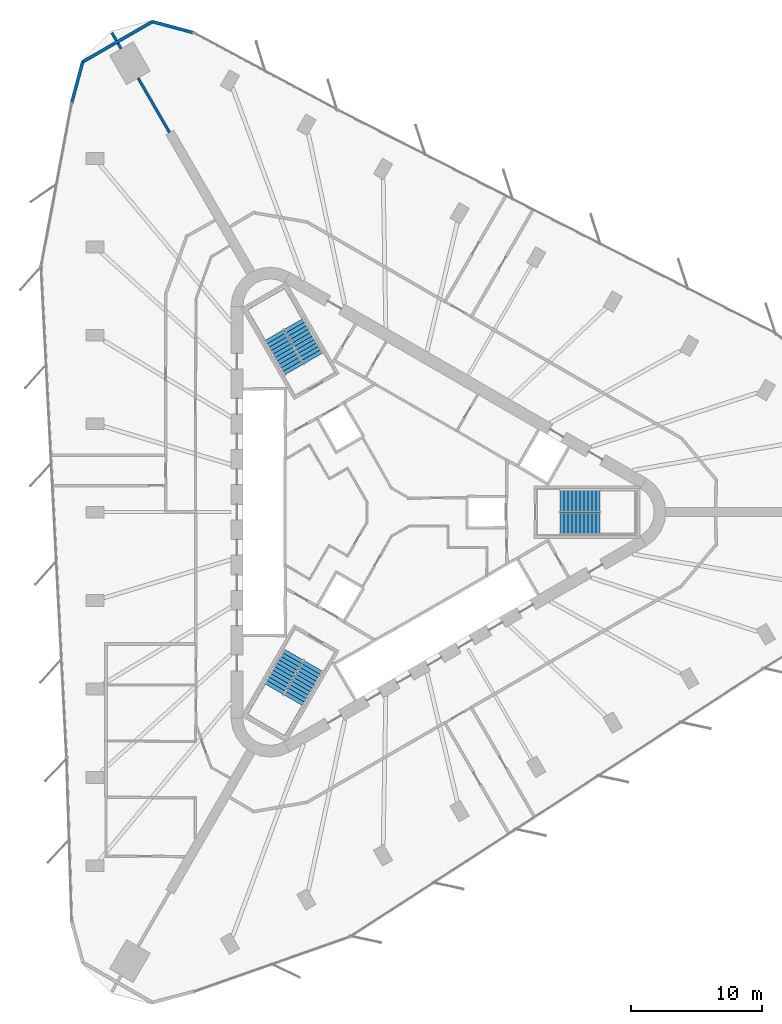
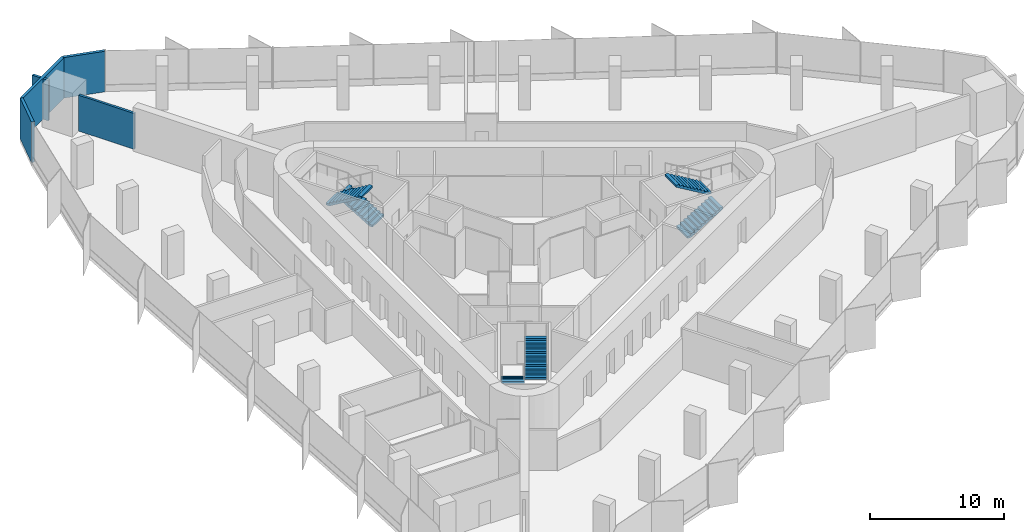
# One storey, part 12 of 13: 6 stair flights, 6 walls, 3 elements without a shape of their own.
"""IFC4 building model written with IfcOpenShell, lengths in metres."""

from ifc_helpers import new_model, si_unit, direction, frame, frame_2d, origin, place, context, subcontext, project, spatial, polyline, rectangle, outline, extrude, material, layer, layer_set, type_object, element, aggregate, save


model = new_model("IFC4")

# Units and contexts
model_context = context("Model", 3, precision=1e-05, world=origin(), true_north=direction((0.0, 1.0)))
body_context = subcontext(model_context, "Body", "Model", "MODEL_VIEW")
ifc_project = project(units=[si_unit("LENGTHUNIT", "METRE"), si_unit("AREAUNIT", "SQUARE_METRE"), si_unit("VOLUMEUNIT", "CUBIC_METRE"), si_unit("PLANEANGLEUNIT", "RADIAN"), si_unit("MASSUNIT", "GRAM", prefix="KILO")], contexts=[model_context])

# Site, building, storey
site_placement = place(None, origin())
site = spatial("IfcSite", under=ifc_project, at=site_placement, CompositionType="ELEMENT")
building_placement = place(site_placement, origin())
building = spatial("IfcBuilding", under=site, at=building_placement, Name="Tanit Gate Tower", CompositionType="ELEMENT")
storey_placement = place(building_placement, frame((0.0, 0.0, 177.199951171875)))
storey = spatial("IfcBuildingStorey", under=building, at=storey_placement, Name="L38", CompositionType="ELEMENT", Elevation=177.199951171875)

# Walls
ifc_material_1 = material(Name="Concrete C30/37 with bronze anodised aluminium cladding", Category="concrete")
ifc_layer_1 = layer(ifc_material_1, 0.239990234375)
ifc_layer_set_1 = layer_set([ifc_layer_1], Name="Facade wall bronze clad 240")
wall_type_1 = type_object("IfcWallType", Name="Facade wall bronze clad 240", PredefinedType="SOLIDWALL", material=ifc_layer_set_1)
wall_1_placement = place(storey_placement, frame((-15.01953125, 36.7353515625, 0.0), z_axis=(0.0, 0.0, 1.0), x_axis=(-0.965921607741, 0.258834788424, 0.0)))
element("IfcWall", 1, at=wall_1_placement, inside=storey, type_object=wall_type_1, Name="Bronze-clad facade wall L38 NW.arc1", PredefinedType="SOLIDWALL", context=body_context, shape_type="SweptSolid", body=[
    extrude(rectangle(XDim=3.214599609375, YDim=0.239990234375, at=frame_2d((1.607421875, 0.0))), origin(), (0.0, 0.0, 1.0), 3.699951171875),
])
wall_2_placement = place(storey_placement, frame((-18.12451171875, 37.5673828125, 0.0), z_axis=(0.0, 0.0, 1.0), x_axis=(-0.866030202489, -0.499991688307, 0.0)))
element("IfcWall", 2, at=wall_2_placement, inside=storey, type_object=wall_type_1, Name="Bronze-clad facade wall L38 NW.arc2", PredefinedType="SOLIDWALL", context=body_context, shape_type="SweptSolid", body=[
    extrude(rectangle(XDim=6.1748046875, YDim=0.239990234375, at=frame_2d((3.08740234375, 0.0))), origin(), (0.0, 0.0, 1.0), 3.699951171875),
])
wall_3_placement = place(storey_placement, frame((-23.47216796875, 34.47998046875, 0.0), z_axis=(0.0, 0.0, 1.0), x_axis=(-0.258770153522, -0.965938925423, 0.0)))
element("IfcWall", 3, at=wall_3_placement, inside=storey, type_object=wall_type_1, Name="Bronze-clad facade wall L38 NW.arc3", PredefinedType="SOLIDWALL", context=body_context, shape_type="SweptSolid", body=[
    extrude(rectangle(XDim=3.223876953125, YDim=0.239990234375, at=frame_2d((1.61181640625, 0.0))), origin(), (0.0, 0.0, 1.0), 3.699951171875),
])
ifc_material_2 = material(Name="Fire-rated gypsum board partition")
ifc_layer_2 = layer(ifc_material_2, 0.199951171875)
ifc_layer_set_2 = layer_set([ifc_layer_2], Name="INT-WALL-COMPARTMENT")
wall_type_2 = type_object("IfcWallType", Name="INT-WALL-COMPARTMENT", PredefinedType="PARTITIONING", material=ifc_layer_set_2)
wall_4_placement = place(storey_placement, frame((-16.8173828125, 29.068359375, 0.0), z_axis=(0.0, 0.0, 1.0), x_axis=(-0.499988695522, 0.866031930329, 0.0)))
element("IfcWall", 4, at=wall_4_placement, inside=storey, type_object=wall_type_2, Name="Wall Compartment W122", PredefinedType="PARTITIONING", context=body_context, shape_type="SweptSolid", body=[
    extrude(rectangle(XDim=4.8154296875, YDim=0.199951171875, at=frame_2d((2.40771484375, 0.0))), origin(), (0.0, 0.0, 1.0), 3.27001953125),
])
wall_5_placement = place(storey_placement, frame((-20.52490234375, 35.490234375, 0.0), z_axis=(0.0, 0.0, 1.0), x_axis=(-0.499869636591, 0.866100656052, 0.0)))
element("IfcWall", 5, at=wall_5_placement, inside=storey, type_object=wall_type_2, Name="Wall Compartment W121", PredefinedType="PARTITIONING", context=body_context, shape_type="SweptSolid", body=[
    extrude(rectangle(XDim=0.478759765625, YDim=0.199951171875, at=frame_2d((0.2392578125, 0.0))), origin(), (0.0, 0.0, 1.0), 3.699951171875),
])
wall_6_placement = place(storey_placement, frame((-20.88427734375, 36.112548828125, 0.0), z_axis=(0.0, 0.0, 1.0), x_axis=(-0.49989369433, 0.866086770693, 0.0)))
element("IfcWall", 6, at=wall_6_placement, inside=storey, type_object=wall_type_2, Name="Wall Compartment W121x1", PredefinedType="PARTITIONING", context=body_context, shape_type="SweptSolid", body=[
    extrude(rectangle(XDim=0.699462890625, YDim=0.199951171875, at=frame_2d((0.349609375, 0.0))), origin(), (0.0, 0.0, 1.0), 3.699951171875),
])

# Stair, stair flights
ifc_material_3 = material(Name="Concrete C40/50", Category="concrete")
stair_type = type_object("IfcStairType", Name="INT-STAIR-EXIT", PredefinedType="HALF_TURN_STAIR", material=ifc_material_3)
stair_1_placement = place(storey_placement, origin())
stair_1 = element("IfcStair", 7, at=stair_1_placement, inside=storey, type_object=stair_type, Name="L38 STAIR S1", PredefinedType="HALF_TURN_STAIR")
ifc_material_4 = material(Name="Concrete C40/50", Category="concrete")
stair_flight_type = type_object("IfcStairFlightType", Name="INT-STAIR-FLIGHT", PredefinedType="STRAIGHT", material=ifc_material_4)
stair_flight_1_placement = place(storey_placement, frame((13.094970703125, -0.8525390625, 0.0), z_axis=(0.0, 0.0, 1.0), x_axis=(1.0, 0.0, 0.0)))
stair_flight_1 = element("IfcStairFlight", 8, at=stair_flight_1_placement, type_object=stair_flight_type, Name="S1 flight 1", NumberOfRisers=11, NumberOfTreads=10, PredefinedType="STRAIGHT", RiserHeight=0.181818182, TreadLength=0.3051, context=body_context, shape_type="SweptSolid", body=[
    extrude(outline(polyline([(0.0, 0.0), (0.0, 0.181884765625), (0.30517578125, 0.181884765625), (0.30517578125, 0.363525390625), (0.610107421875, 0.363525390625), (0.610107421875, 0.54541015625), (0.915283203125, 0.54541015625), (0.915283203125, 0.727294921875), (1.220458984375, 0.727294921875), (1.220458984375, 0.9091796875), (1.525390625, 0.9091796875), (1.525390625, 1.0908203125), (1.83056640625, 1.0908203125), (1.83056640625, 1.272705078125), (2.1357421875, 1.272705078125), (2.1357421875, 1.45458984375), (2.44091796875, 1.45458984375), (2.44091796875, 1.636474609375), (2.745849609375, 1.636474609375), (2.745849609375, 1.818115234375), (3.051025390625, 1.818115234375), (3.051025390625, 2.0), (3.051025390625, 1.643798828125), (0.292724609375, 0.0), (0.0, 0.0)])), frame((0.0, 0.84765625, 0.0), z_axis=(0.0, -1.0, 0.0), x_axis=(1.0, 0.0, 0.0)), (0.0, 0.0, 1.0), 1.695068359375),
])
stair_flight_2_placement = place(storey_placement, frame((16.14599609375, 0.8525390625, 2.0), z_axis=(0.0, 0.0, 1.0), x_axis=(-1.0, 0.0, 0.0)))
stair_flight_2 = element("IfcStairFlight", 9, at=stair_flight_2_placement, type_object=stair_flight_type, Name="S1 flight 2", NumberOfRisers=11, NumberOfTreads=10, PredefinedType="STRAIGHT", RiserHeight=0.181818182, TreadLength=0.3051, context=body_context, shape_type="SweptSolid", body=[
    extrude(outline(polyline([(0.0, 0.0), (0.0, 0.181884765625), (0.30517578125, 0.181884765625), (0.30517578125, 0.363525390625), (0.610107421875, 0.363525390625), (0.610107421875, 0.54541015625), (0.915283203125, 0.54541015625), (0.915283203125, 0.727294921875), (1.220458984375, 0.727294921875), (1.220458984375, 0.9091796875), (1.525390625, 0.9091796875), (1.525390625, 1.0908203125), (1.83056640625, 1.0908203125), (1.83056640625, 1.272705078125), (2.1357421875, 1.272705078125), (2.1357421875, 1.45458984375), (2.44091796875, 1.45458984375), (2.44091796875, 1.636474609375), (2.745849609375, 1.636474609375), (2.745849609375, 1.818115234375), (3.051025390625, 1.818115234375), (3.051025390625, 2.0), (3.051025390625, 1.643798828125), (0.292724609375, 0.0), (0.0, 0.0)])), frame((0.0, 0.84765625, 0.0), z_axis=(0.0, -1.0, 0.0), x_axis=(1.0, 0.0, 0.0)), (0.0, 0.0, 1.0), 1.695068359375),
])
aggregate(stair_1, [stair_flight_1, stair_flight_2])

stair_2_placement = place(storey_placement, origin())
stair_2 = element("IfcStair", 10, at=stair_2_placement, inside=storey, type_object=stair_type, Name="L38 STAIR S2", PredefinedType="HALF_TURN_STAIR")
stair_flight_3_placement = place(storey_placement, frame((-5.808349609375, 11.766357421875, 0.0), z_axis=(0.0, 0.0, 1.0), x_axis=(-0.5, 0.866025403784, 0.0)))
stair_flight_3 = element("IfcStairFlight", 11, at=stair_flight_3_placement, type_object=stair_flight_type, Name="S2 flight 1", NumberOfRisers=11, NumberOfTreads=10, PredefinedType="STRAIGHT", RiserHeight=0.181818182, TreadLength=0.30492, context=body_context, shape_type="SweptSolid", body=[
    extrude(outline(polyline([(0.0, 0.0), (0.0, 0.181884765625), (0.304931640625, 0.181884765625), (0.304931640625, 0.363525390625), (0.60986328125, 0.363525390625), (0.60986328125, 0.54541015625), (0.914794921875, 0.54541015625), (0.914794921875, 0.727294921875), (1.2197265625, 0.727294921875), (1.2197265625, 0.9091796875), (1.524658203125, 0.9091796875), (1.524658203125, 1.0908203125), (1.82958984375, 1.0908203125), (1.82958984375, 1.272705078125), (2.134521484375, 1.272705078125), (2.134521484375, 1.45458984375), (2.439453125, 1.45458984375), (2.439453125, 1.636474609375), (2.744384765625, 1.636474609375), (2.744384765625, 1.818115234375), (3.04931640625, 1.818115234375), (3.04931640625, 2.0), (3.04931640625, 1.6435546875), (0.292724609375, 0.0), (0.0, 0.0)])), frame((0.0, 0.84716796875, 0.0), z_axis=(0.0, -1.0, 0.0), x_axis=(1.0, 0.0, 0.0)), (0.0, 0.0, 1.0), 1.694091796875),
])
stair_flight_4_placement = place(storey_placement, frame((-8.810302734375, 13.553955078125, 2.0), z_axis=(0.0, 0.0, 1.0), x_axis=(0.5, -0.866025403784, 0.0)))
stair_flight_4 = element("IfcStairFlight", 12, at=stair_flight_4_placement, type_object=stair_flight_type, Name="S2 flight 2", NumberOfRisers=11, NumberOfTreads=10, PredefinedType="STRAIGHT", RiserHeight=0.181818182, TreadLength=0.30492, context=body_context, shape_type="SweptSolid", body=[
    extrude(outline(polyline([(0.0, 0.0), (0.0, 0.181884765625), (0.304931640625, 0.181884765625), (0.304931640625, 0.363525390625), (0.60986328125, 0.363525390625), (0.60986328125, 0.54541015625), (0.914794921875, 0.54541015625), (0.914794921875, 0.727294921875), (1.2197265625, 0.727294921875), (1.2197265625, 0.9091796875), (1.524658203125, 0.9091796875), (1.524658203125, 1.0908203125), (1.82958984375, 1.0908203125), (1.82958984375, 1.272705078125), (2.134521484375, 1.272705078125), (2.134521484375, 1.45458984375), (2.439453125, 1.45458984375), (2.439453125, 1.636474609375), (2.744384765625, 1.636474609375), (2.744384765625, 1.818115234375), (3.04931640625, 1.818115234375), (3.04931640625, 2.0), (3.04931640625, 1.6435546875), (0.292724609375, 0.0), (0.0, 0.0)])), frame((0.0, 0.84716796875, 0.0), z_axis=(0.0, -1.0, 0.0), x_axis=(1.0, 0.0, 0.0)), (0.0, 0.0, 1.0), 1.694091796875),
])
aggregate(stair_2, [stair_flight_3, stair_flight_4])

stair_3_placement = place(storey_placement, origin())
stair_3 = element("IfcStair", 13, at=stair_3_placement, inside=storey, type_object=stair_type, Name="L38 STAIR S3", PredefinedType="HALF_TURN_STAIR")
stair_flight_5_placement = place(storey_placement, frame((-7.285888671875, -10.914306640625, 0.0), z_axis=(0.0, 0.0, 1.0), x_axis=(-0.5, -0.866025403784, 0.0)))
stair_flight_5 = element("IfcStairFlight", 14, at=stair_flight_5_placement, type_object=stair_flight_type, Name="S3 flight 1", NumberOfRisers=11, NumberOfTreads=10, PredefinedType="STRAIGHT", RiserHeight=0.181818182, TreadLength=0.3051, context=body_context, shape_type="SweptSolid", body=[
    extrude(outline(polyline([(0.0, 0.0), (0.0, 0.181884765625), (0.30517578125, 0.181884765625), (0.30517578125, 0.363525390625), (0.610107421875, 0.363525390625), (0.610107421875, 0.54541015625), (0.915283203125, 0.54541015625), (0.915283203125, 0.727294921875), (1.220458984375, 0.727294921875), (1.220458984375, 0.9091796875), (1.525390625, 0.9091796875), (1.525390625, 1.0908203125), (1.83056640625, 1.0908203125), (1.83056640625, 1.272705078125), (2.1357421875, 1.272705078125), (2.1357421875, 1.45458984375), (2.44091796875, 1.45458984375), (2.44091796875, 1.636474609375), (2.745849609375, 1.636474609375), (2.745849609375, 1.818115234375), (3.051025390625, 1.818115234375), (3.051025390625, 2.0), (3.051025390625, 1.643798828125), (0.292724609375, 0.0), (0.0, 0.0)])), frame((0.0, 0.84765625, 0.0), z_axis=(0.0, -1.0, 0.0), x_axis=(1.0, 0.0, 0.0)), (0.0, 0.0, 1.0), 1.695068359375),
])
stair_flight_6_placement = place(storey_placement, frame((-7.334716796875, -14.4091796875, 2.0), z_axis=(0.0, 0.0, 1.0), x_axis=(0.5, 0.866025403784, 0.0)))
stair_flight_6 = element("IfcStairFlight", 15, at=stair_flight_6_placement, type_object=stair_flight_type, Name="S3 flight 2", NumberOfRisers=11, NumberOfTreads=10, PredefinedType="STRAIGHT", RiserHeight=0.181818182, TreadLength=0.3051, context=body_context, shape_type="SweptSolid", body=[
    extrude(outline(polyline([(0.0, 0.0), (0.0, 0.181884765625), (0.30517578125, 0.181884765625), (0.30517578125, 0.363525390625), (0.610107421875, 0.363525390625), (0.610107421875, 0.54541015625), (0.915283203125, 0.54541015625), (0.915283203125, 0.727294921875), (1.220458984375, 0.727294921875), (1.220458984375, 0.9091796875), (1.525390625, 0.9091796875), (1.525390625, 1.0908203125), (1.83056640625, 1.0908203125), (1.83056640625, 1.272705078125), (2.1357421875, 1.272705078125), (2.1357421875, 1.45458984375), (2.44091796875, 1.45458984375), (2.44091796875, 1.636474609375), (2.745849609375, 1.636474609375), (2.745849609375, 1.818115234375), (3.051025390625, 1.818115234375), (3.051025390625, 2.0), (3.051025390625, 1.643798828125), (0.292724609375, 0.0), (0.0, 0.0)])), frame((0.0, 0.84765625, 0.0), z_axis=(0.0, -1.0, 0.0), x_axis=(1.0, 0.0, 0.0)), (0.0, 0.0, 1.0), 1.695068359375),
])
aggregate(stair_3, [stair_flight_5, stair_flight_6])

save(model, "model.ifc")
